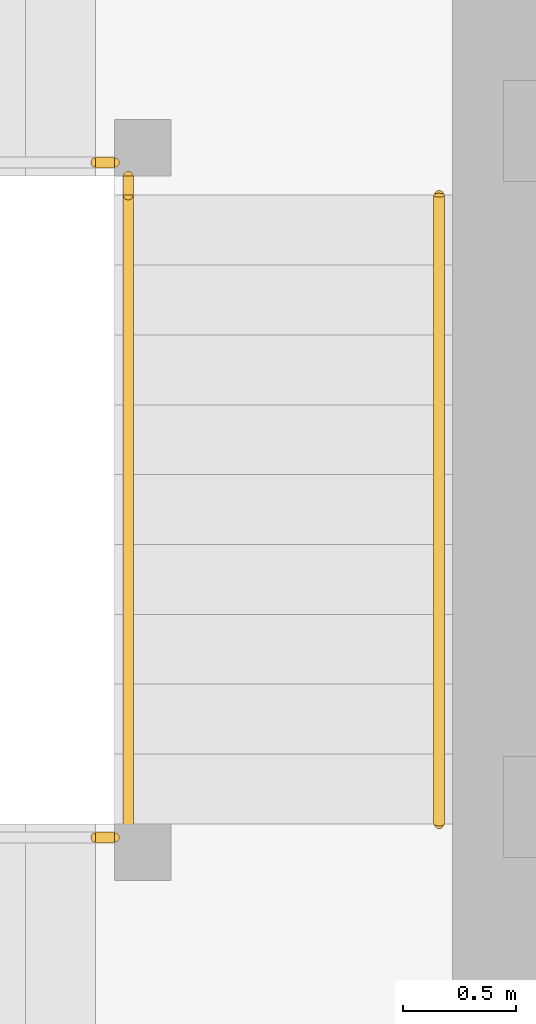
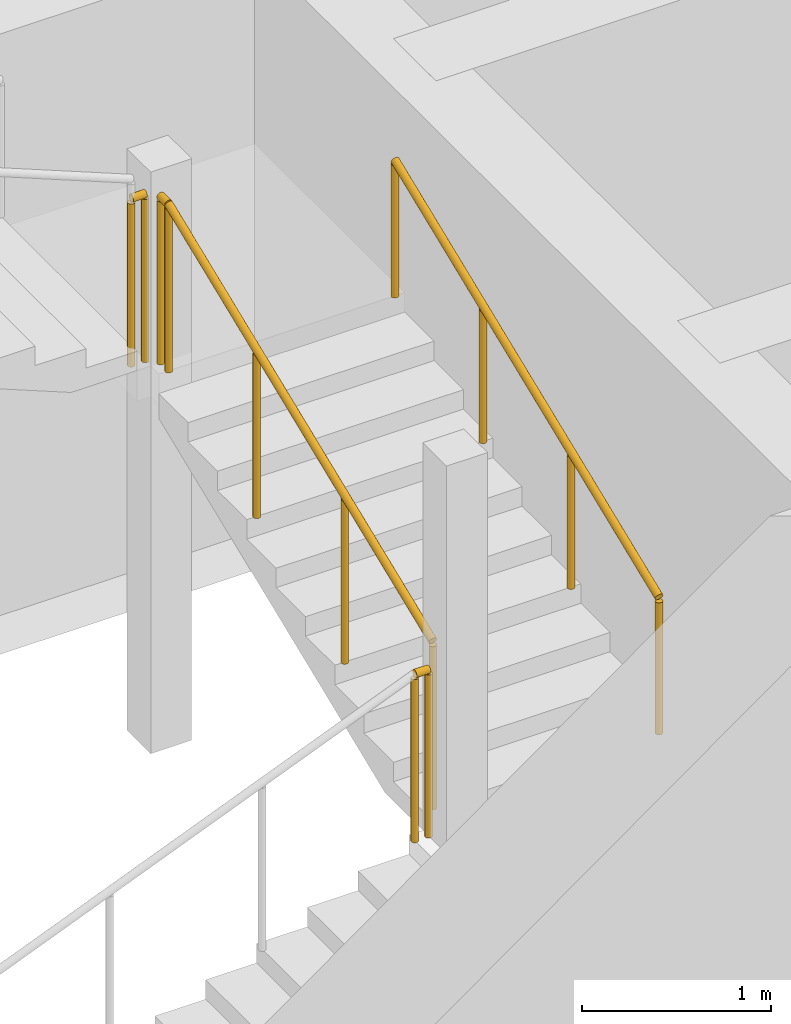
# One storey, part 36 of 40: 5 railings.
"""IFC4 building model written with IfcOpenShell, lengths in metres."""

from ifc_helpers import new_model, si_unit, direction, frame, origin, origin_2d, place, context, subcontext, project, spatial, circle, extrude, material, type_object, element, save


model = new_model("IFC4")

# Units and contexts
model_context = context("Model", 3, precision=1e-05, world=origin(), true_north=direction((0.0, 1.0)))
body_context = subcontext(model_context, "Body", "Model", "MODEL_VIEW")
ifc_project = project(units=[si_unit("LENGTHUNIT", "METRE"), si_unit("AREAUNIT", "SQUARE_METRE"), si_unit("VOLUMEUNIT", "CUBIC_METRE"), si_unit("PLANEANGLEUNIT", "RADIAN"), si_unit("MASSUNIT", "GRAM", prefix="KILO")], contexts=[model_context])

# Site, building, storey
site_placement = place(None, origin())
site = spatial("IfcSite", under=ifc_project, at=site_placement, CompositionType="ELEMENT")
building_placement = place(site_placement, origin())
building = spatial("IfcBuilding", under=site, at=building_placement, Name="Rekha Terrace Tower", CompositionType="ELEMENT")
storey_placement = place(building_placement, frame((0.0, 0.0, 95.300048828125)))
storey = spatial("IfcBuildingStorey", under=building, at=storey_placement, Name="L23", CompositionType="ELEMENT", Elevation=95.300048828125)

# Railings
ifc_material_1 = material(Name="Stainless steel balustrade", Category="steel")
railing_type_1 = type_object("IfcRailingType", Name="GR1 1100 stair guard", PredefinedType="GUARDRAIL", material=ifc_material_1)
railing_1_placement = place(storey_placement, frame((30.135009765625, 41.324951171875, 1.375)))
element("IfcRailing", 1, at=railing_1_placement, inside=storey, type_object=railing_type_1, Name="Guard ST4 L23 flight 2", PredefinedType="GUARDRAIL", context=body_context, shape_type="SweptSolid", body=[
    extrude(circle(Radius=0.02392578125, at=origin_2d()), frame((0.0, 0.0, 1.076171875), z_axis=(0.0, 0.927443287984, 0.373963831907), x_axis=(-1.0, 0.0, 0.0)), (0.0, 0.0, 1.0), 3.00830078125),
    extrude(circle(Radius=0.02099609375, at=origin_2d()), origin(), (0.0, 0.0, 1.0), 1.052001953125),
    extrude(circle(Radius=0.02099609375, at=origin_2d()), frame((0.0, 0.929931640625, 0.375)), (0.0, 0.0, 1.0), 1.052001953125),
    extrude(circle(Radius=0.02099609375, at=origin_2d()), frame((0.0, 1.860107421875, 0.75)), (0.0, 0.0, 1.0), 1.052001953125),
    extrude(circle(Radius=0.02099609375, at=origin_2d()), frame((0.0, 2.7900390625, 1.125)), (0.0, 0.0, 1.0), 1.052001953125),
])
railing_2_placement = place(storey_placement, frame((29.989990234375, 41.264892578125, 1.25)))
element("IfcRailing", 2, at=railing_2_placement, inside=storey, type_object=railing_type_1, Name="Guard ST4 L23 landing 1", PredefinedType="GUARDRAIL", context=body_context, shape_type="SweptSolid", body=[
    extrude(circle(Radius=0.02392578125, at=origin_2d()), frame((0.0, 0.0, 1.076171875), z_axis=(1.0, 0.0, 0.0), x_axis=(0.0, 1.0, 0.0)), (0.0, 0.0, 1.0), 0.0849609375),
    extrude(circle(Radius=0.02099609375, at=origin_2d()), origin(), (0.0, 0.0, 1.0), 1.052001953125),
    extrude(circle(Radius=0.02099609375, at=origin_2d()), frame((0.0849609375, 0.0, 0.0)), (0.0, 0.0, 1.0), 1.052001953125),
])
railing_3_placement = place(storey_placement, frame((30.135009765625, 44.114990234375, 2.5)))
element("IfcRailing", 3, at=railing_3_placement, inside=storey, type_object=railing_type_1, Name="Guard ST4 L23 landing 2", PredefinedType="GUARDRAIL", context=body_context, shape_type="SweptSolid", body=[
    extrude(circle(Radius=0.02392578125, at=origin_2d()), frame((0.0, 0.0, 1.076171875), z_axis=(0.0, 1.0, 0.0), x_axis=(-1.0, 0.0, 0.0)), (0.0, 0.0, 1.0), 0.0849609375),
    extrude(circle(Radius=0.02099609375, at=origin_2d()), origin(), (0.0, 0.0, 1.0), 1.052001953125),
    extrude(circle(Radius=0.02099609375, at=origin_2d()), frame((0.0, 0.0849609375, 0.0)), (0.0, 0.0, 1.0), 1.052001953125),
])
railing_4_placement = place(storey_placement, frame((29.989990234375, 44.260009765625, 2.5)))
element("IfcRailing", 4, at=railing_4_placement, inside=storey, type_object=railing_type_1, Name="Guard ST4 L23 landing 3", PredefinedType="GUARDRAIL", context=body_context, shape_type="SweptSolid", body=[
    extrude(circle(Radius=0.02392578125, at=origin_2d()), frame((0.0, 0.0, 1.076171875), z_axis=(1.0, 0.0, 0.0), x_axis=(0.0, 1.0, 0.0)), (0.0, 0.0, 1.0), 0.0849609375),
    extrude(circle(Radius=0.02099609375, at=origin_2d()), origin(), (0.0, 0.0, 1.0), 1.052001953125),
    extrude(circle(Radius=0.02099609375, at=origin_2d()), frame((0.0849609375, 0.0, 0.0)), (0.0, 0.0, 1.0), 1.052001953125),
])
ifc_material_2 = material(Name="Stainless steel tube", Category="steel")
railing_type_2 = type_object("IfcRailingType", Name="HR1 900 stair handrail", PredefinedType="HANDRAIL", material=ifc_material_2)
railing_5_placement = place(storey_placement, frame((31.514892578125, 41.324951171875, 1.375)))
element("IfcRailing", 5, at=railing_5_placement, inside=storey, type_object=railing_type_2, Name="Handrail ST4 L23 flight 2", PredefinedType="HANDRAIL", context=body_context, shape_type="SweptSolid", body=[
    extrude(circle(Radius=0.02392578125, at=origin_2d()), frame((0.0, 0.0, 0.8759765625), z_axis=(0.0, 0.927443287984, 0.373963831907), x_axis=(-1.0, 0.0, 0.0)), (0.0, 0.0, 1.0), 3.00830078125),
    extrude(circle(Radius=0.02099609375, at=origin_2d()), origin(), (0.0, 0.0, 1.0), 0.851806640625),
    extrude(circle(Radius=0.02099609375, at=origin_2d()), frame((0.0, 0.929931640625, 0.375)), (0.0, 0.0, 1.0), 0.851806640625),
    extrude(circle(Radius=0.02099609375, at=origin_2d()), frame((0.0, 1.860107421875, 0.75)), (0.0, 0.0, 1.0), 0.851806640625),
    extrude(circle(Radius=0.02099609375, at=origin_2d()), frame((0.0, 2.7900390625, 1.125)), (0.0, 0.0, 1.0), 0.851806640625),
])

save(model, "model.ifc")
